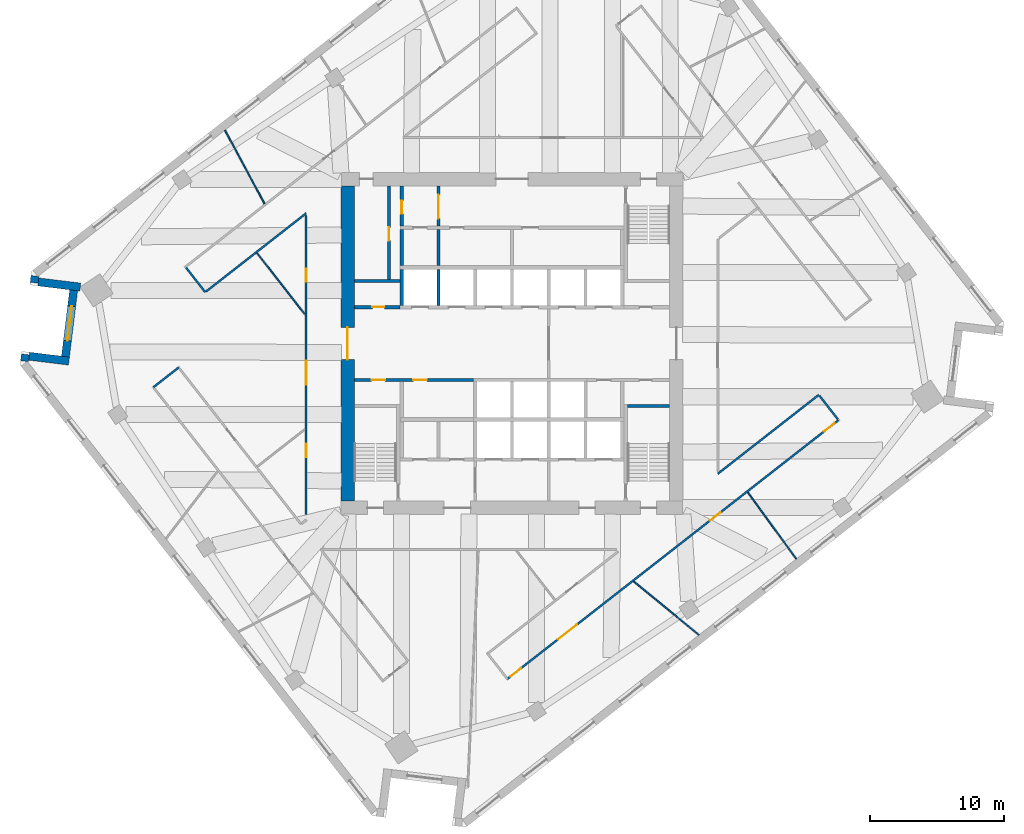
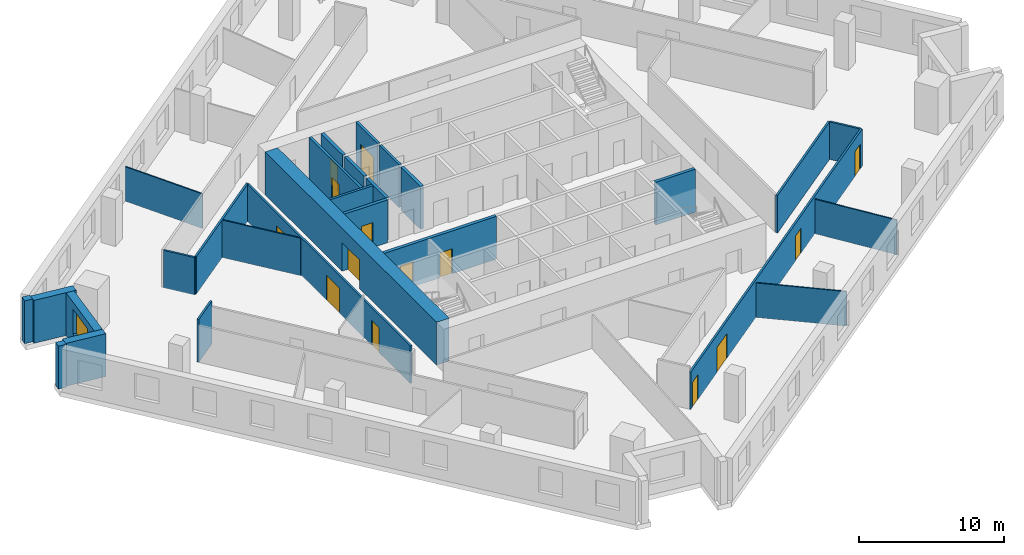
# One storey, part 6 of 11: 28 walls, 14 doors, 1 window, 15 openings.
"""IFC4 building model written with IfcOpenShell, lengths in metres."""

from ifc_helpers import new_model, si_unit, direction, frame, frame_2d, origin, place, context, subcontext, project, spatial, rectangle, extrude, material, layer, layer_set, type_object, element, fill, save


model = new_model("IFC4")

# Units and contexts
model_context = context("Model", 3, precision=1e-05, world=origin(), true_north=direction((0.0, 1.0)))
body_context = subcontext(model_context, "Body", "Model", "MODEL_VIEW")
ifc_project = project(units=[si_unit("LENGTHUNIT", "METRE"), si_unit("AREAUNIT", "SQUARE_METRE"), si_unit("VOLUMEUNIT", "CUBIC_METRE"), si_unit("PLANEANGLEUNIT", "RADIAN"), si_unit("MASSUNIT", "GRAM", prefix="KILO")], contexts=[model_context])

# Site, building, storey
site_placement = place(None, origin())
site = spatial("IfcSite", under=ifc_project, at=site_placement, CompositionType="ELEMENT")
building_placement = place(site_placement, origin())
building = spatial("IfcBuilding", under=site, at=building_placement, Name="Dilmun Exchange Tower", CompositionType="ELEMENT")
storey_placement = place(building_placement, frame((0.0, 0.0, 175.699951171875)))
storey = spatial("IfcBuildingStorey", under=building, at=storey_placement, Name="L41", CompositionType="ELEMENT", Elevation=175.699951171875)

# Wall
ifc_material_1 = material(Name="Concrete C40/50", Category="concrete")
ifc_layer_1 = layer(ifc_material_1, 0.199951171875)
ifc_layer_set_1 = layer_set([ifc_layer_1], Name="Concrete C40/50")
wall_type_1 = type_object("IfcWallType", Name="Core partition wall 200", PredefinedType="PARTITIONING", material=ifc_layer_set_1)
wall_1_placement = place(storey_placement, frame((-11.794921875, 4.675048828125, 0.0), z_axis=(0.0, 0.0, 1.0), x_axis=(1.0, 0.0, 0.0)))
element("IfcWall", 1, at=wall_1_placement, inside=storey, type_object=wall_type_1, Name="L41 core partition wall 14", PredefinedType="PARTITIONING", context=body_context, shape_type="SweptSolid", body=[
    extrude(rectangle(XDim=3.4150390625, YDim=0.199951171875, at=frame_2d((1.70751953125, 0.0))), origin(), (0.0, 0.0, 1.0), 3.60009765625),
])

# Wall, opening, door
wall_2_placement = place(storey_placement, frame((-9.199951171875, 4.780029296875, 0.0), z_axis=(0.0, 0.0, 1.0), x_axis=(0.0, 1.0, 0.0)))
wall_2 = element("IfcWall", 2, at=wall_2_placement, inside=storey, type_object=wall_type_1, Name="L41 core partition wall 15", PredefinedType="PARTITIONING", context=body_context, shape_type="SweptSolid", body=[
    extrude(rectangle(XDim=7.014892578125, YDim=0.199951171875, at=frame_2d((3.50732421875, 0.0))), origin(), (0.0, 0.0, 1.0), 3.60009765625),
])
opening_1_placement = place(wall_2_placement, frame((2.919921875, 0.0, 0.0)))
opening_1 = element("IfcOpeningElement", 3, at=opening_1_placement, cuts=wall_2, Name="Opening CD4", PredefinedType="OPENING", context=body_context, shape_type="SweptSolid", body=[
    extrude(rectangle(XDim=1.0, YDim=2.10009765625, at=frame_2d((0.5, 1.050048828125))), frame((0.0, 0.10986328125, 0.0), z_axis=(0.0, -1.0, 0.0), x_axis=(1.0, 0.0, 0.0)), (0.0, 0.0, 1.0), 0.219970703125),
])
ifc_material_2 = material(Name="Fire-rated steel door set", Category="steel")
door_type_1 = type_object("IfcDoorType", Name="Core room door 1000x2100", OperationType="SINGLE_SWING_LEFT", PredefinedType="DOOR", material=ifc_material_2)
door_1_placement = place(opening_1_placement, origin())
door_1 = element("IfcDoor", 4, at=door_1_placement, inside=storey, type_object=door_type_1, Name="L41 door Fire safety store", OperationType="SINGLE_SWING_RIGHT", OverallHeight=2.10009765625, OverallWidth=1.0, PredefinedType="DOOR", context=body_context, shape_type="SweptSolid", body=[
    extrude(rectangle(XDim=1.0, YDim=2.10009765625, at=frame_2d((0.5, 1.050048828125))), frame((0.0, 0.02490234375, 0.0), z_axis=(0.0, -1.0, 0.0), x_axis=(1.0, 0.0, 0.0)), (0.0, 0.0, 1.0), 0.050048828125),
])
fill(opening_1, door_1)

# Wall
wall_3_placement = place(storey_placement, frame((-5.5, 5.85498046875, 0.0), z_axis=(0.0, 0.0, 1.0), x_axis=(0.0, 1.0, 0.0)))
element("IfcWall", 5, at=wall_3_placement, inside=storey, type_object=wall_type_1, Name="L41 core partition wall 17", PredefinedType="PARTITIONING", context=body_context, shape_type="SweptSolid", body=[
    extrude(rectangle(XDim=2.68994140625, YDim=0.199951171875, at=frame_2d((1.344970703125, 0.0))), origin(), (0.0, 0.0, 1.0), 3.60009765625),
])

# Wall, opening, door
wall_4_placement = place(storey_placement, frame((-5.5, 8.804931640625, 0.0), z_axis=(0.0, 0.0, 1.0), x_axis=(0.0, 1.0, 0.0)))
wall_4 = element("IfcWall", 6, at=wall_4_placement, inside=storey, type_object=wall_type_1, Name="L41 core partition wall 22", PredefinedType="PARTITIONING", context=body_context, shape_type="SweptSolid", body=[
    extrude(rectangle(XDim=2.989990234375, YDim=0.199951171875, at=frame_2d((1.4951171875, 0.0))), origin(), (0.0, 0.0, 1.0), 3.60009765625),
])
opening_2_placement = place(wall_4_placement, frame((0.532470703125, 0.0, 0.0)))
opening_2 = element("IfcOpeningElement", 7, at=opening_2_placement, cuts=wall_4, Name="Opening CD5", PredefinedType="OPENING", context=body_context, shape_type="SweptSolid", body=[
    extrude(rectangle(XDim=1.800048828125, YDim=2.10009765625, at=frame_2d((0.89990234375, 1.050048828125))), frame((0.0, 0.10986328125, 0.0), z_axis=(0.0, -1.0, 0.0), x_axis=(1.0, 0.0, 0.0)), (0.0, 0.0, 1.0), 0.219970703125),
])
door_type_2 = type_object("IfcDoorType", Name="Stair exit door 1800x2100", OperationType="SINGLE_SWING_LEFT", PredefinedType="DOOR", material=ifc_material_2)
door_2_placement = place(opening_2_placement, origin())
door_2 = element("IfcDoor", 8, at=door_2_placement, inside=storey, type_object=door_type_2, Name="L41 door Core corridor east", OperationType="SINGLE_SWING_LEFT", OverallHeight=2.10009765625, OverallWidth=1.800048828125, PredefinedType="DOOR", context=body_context, shape_type="SweptSolid", body=[
    extrude(rectangle(XDim=1.800048828125, YDim=2.10009765625, at=frame_2d((0.89990234375, 1.050048828125))), frame((0.0, 0.02490234375, 0.0), z_axis=(0.0, -1.0, 0.0), x_axis=(1.0, 0.0, 0.0)), (0.0, 0.0, 1.0), 0.050048828125),
])
fill(opening_2, door_2)

# Wall, openings, doors
ifc_layer_2 = layer(ifc_material_1, 0.25)
ifc_layer_set_2 = layer_set([ifc_layer_2], Name="Concrete C40/50")
wall_type_2 = type_object("IfcWallType", Name="Core partition wall 250", PredefinedType="PARTITIONING", material=ifc_layer_set_2)
wall_5_placement = place(storey_placement, frame((-11.794921875, -2.72509765625, 0.0), z_axis=(0.0, 0.0, 1.0), x_axis=(1.0, 0.0, 0.0)))
wall_5 = element("IfcWall", 9, at=wall_5_placement, inside=storey, type_object=wall_type_2, Name="L41 core partition wall 09", PredefinedType="PARTITIONING", context=body_context, shape_type="SweptSolid", body=[
    extrude(rectangle(XDim=8.9150390625, YDim=0.25, at=frame_2d((4.45751953125, 0.0))), origin(), (0.0, 0.0, 1.0), 3.60009765625),
])
opening_3_placement = place(wall_5_placement, frame((1.294921875, 0.0, 0.0)))
opening_3 = element("IfcOpeningElement", 10, at=opening_3_placement, cuts=wall_5, Name="Opening CD4", PredefinedType="OPENING", context=body_context, shape_type="SweptSolid", body=[
    extrude(rectangle(XDim=1.0, YDim=2.10009765625, at=frame_2d((0.5, 1.050048828125))), frame((0.0, 0.135009765625, 0.0), z_axis=(0.0, -1.0, 0.0), x_axis=(1.0, 0.0, 0.0)), (0.0, 0.0, 1.0), 0.27001953125),
])
opening_4_placement = place(wall_5_placement, frame((4.419921875, 0.0, 0.0)))
opening_4 = element("IfcOpeningElement", 11, at=opening_4_placement, cuts=wall_5, Name="Opening CD4", PredefinedType="OPENING", context=body_context, shape_type="SweptSolid", body=[
    extrude(rectangle(XDim=1.0, YDim=2.10009765625, at=frame_2d((0.5, 1.050048828125))), frame((0.0, 0.135009765625, 0.0), z_axis=(0.0, -1.0, 0.0), x_axis=(1.0, 0.0, 0.0)), (0.0, 0.0, 1.0), 0.27001953125),
])
door_3_placement = place(opening_3_placement, origin())
door_3 = element("IfcDoor", 12, at=door_3_placement, inside=storey, type_object=door_type_1, Name="L41 door Accessible WC", OperationType="SINGLE_SWING_RIGHT", OverallHeight=2.10009765625, OverallWidth=1.0, PredefinedType="DOOR", context=body_context, shape_type="SweptSolid", body=[
    extrude(rectangle(XDim=1.0, YDim=2.10009765625, at=frame_2d((0.5, 1.050048828125))), frame((0.0, 0.02490234375, 0.0), z_axis=(0.0, -1.0, 0.0), x_axis=(1.0, 0.0, 0.0)), (0.0, 0.0, 1.0), 0.050048828125),
])
fill(opening_3, door_3)
door_4_placement = place(opening_4_placement, origin())
door_4 = element("IfcDoor", 13, at=door_4_placement, inside=storey, type_object=door_type_1, Name="L41 door Print and mail room", OperationType="SINGLE_SWING_RIGHT", OverallHeight=2.10009765625, OverallWidth=1.0, PredefinedType="DOOR", context=body_context, shape_type="SweptSolid", body=[
    extrude(rectangle(XDim=1.0, YDim=2.10009765625, at=frame_2d((0.5, 1.050048828125))), frame((0.0, 0.02490234375, 0.0), z_axis=(0.0, -1.0, 0.0), x_axis=(1.0, 0.0, 0.0)), (0.0, 0.0, 1.0), 0.050048828125),
])
fill(opening_4, door_4)

# Wall, opening, door
wall_6_placement = place(storey_placement, frame((-11.794921875, 2.72509765625, 0.0), z_axis=(0.0, 0.0, 1.0), x_axis=(1.0, 0.0, 0.0)))
wall_6 = element("IfcWall", 14, at=wall_6_placement, inside=storey, type_object=wall_type_2, Name="L41 core partition wall 12", PredefinedType="PARTITIONING", context=body_context, shape_type="SweptSolid", body=[
    extrude(rectangle(XDim=3.4150390625, YDim=0.25, at=frame_2d((1.70751953125, 0.0))), origin(), (0.0, 0.0, 1.0), 3.60009765625),
])
opening_5_placement = place(wall_6_placement, frame((1.344970703125, 0.0, 0.0)))
opening_5 = element("IfcOpeningElement", 15, at=opening_5_placement, cuts=wall_6, Name="Opening CD6", PredefinedType="OPENING", context=body_context, shape_type="SweptSolid", body=[
    extrude(rectangle(XDim=0.89990234375, YDim=2.10009765625, at=frame_2d((0.449951171875, 1.050048828125))), frame((0.0, 0.135009765625, 0.0), z_axis=(0.0, -1.0, 0.0), x_axis=(1.0, 0.0, 0.0)), (0.0, 0.0, 1.0), 0.27001953125),
])
door_type_3 = type_object("IfcDoorType", Name="Core room door 900x2100", OperationType="SINGLE_SWING_LEFT", PredefinedType="DOOR", material=ifc_material_2)
door_5_placement = place(opening_5_placement, origin())
door_5 = element("IfcDoor", 16, at=door_5_placement, inside=storey, type_object=door_type_3, Name="L41 door Plumbing riser", OperationType="SINGLE_SWING_RIGHT", OverallHeight=2.10009765625, OverallWidth=0.89990234375, PredefinedType="DOOR", context=body_context, shape_type="SweptSolid", body=[
    extrude(rectangle(XDim=0.89990234375, YDim=2.10009765625, at=frame_2d((0.449951171875, 1.050048828125))), frame((0.0, 0.02490234375, 0.0), z_axis=(0.0, -1.0, 0.0), x_axis=(1.0, 0.0, 0.0)), (0.0, 0.0, 1.0), 0.050048828125),
])
fill(opening_5, door_5)

# Wall
wall_7_placement = place(storey_placement, frame((-8.25, 5.85498046875, 0.0), z_axis=(0.0, 0.0, 1.0), x_axis=(0.0, 1.0, 0.0)))
element("IfcWall", 17, at=wall_7_placement, inside=storey, type_object=wall_type_2, Name="L41 core partition wall 16", PredefinedType="PARTITIONING", context=body_context, shape_type="SweptSolid", body=[
    extrude(rectangle(XDim=2.68994140625, YDim=0.25, at=frame_2d((1.344970703125, 0.0))), origin(), (0.0, 0.0, 1.0), 3.60009765625),
])

# Wall, opening, door
wall_8_placement = place(storey_placement, frame((-8.25, 8.804931640625, 0.0), z_axis=(0.0, 0.0, 1.0), x_axis=(0.0, 1.0, 0.0)))
wall_8 = element("IfcWall", 18, at=wall_8_placement, inside=storey, type_object=wall_type_2, Name="L41 core partition wall 21", PredefinedType="PARTITIONING", context=body_context, shape_type="SweptSolid", body=[
    extrude(rectangle(XDim=2.989990234375, YDim=0.25, at=frame_2d((1.4951171875, 0.0))), origin(), (0.0, 0.0, 1.0), 3.60009765625),
])
opening_6_placement = place(wall_8_placement, frame((0.89501953125, 0.0, 0.0)))
opening_6 = element("IfcOpeningElement", 19, at=opening_6_placement, cuts=wall_8, Name="Opening CD4", PredefinedType="OPENING", context=body_context, shape_type="SweptSolid", body=[
    extrude(rectangle(XDim=1.0, YDim=2.10009765625, at=frame_2d((0.5, 1.050048828125))), frame((0.0, 0.135009765625, 0.0), z_axis=(0.0, -1.0, 0.0), x_axis=(1.0, 0.0, 0.0)), (0.0, 0.0, 1.0), 0.27001953125),
])
door_6_placement = place(opening_6_placement, origin())
door_6 = element("IfcDoor", 20, at=door_6_placement, inside=storey, type_object=door_type_1, Name="L41 door Tenant services room", OperationType="SINGLE_SWING_RIGHT", OverallHeight=2.10009765625, OverallWidth=1.0, PredefinedType="DOOR", context=body_context, shape_type="SweptSolid", body=[
    extrude(rectangle(XDim=1.0, YDim=2.10009765625, at=frame_2d((0.5, 1.050048828125))), frame((0.0, 0.02490234375, 0.0), z_axis=(0.0, -1.0, 0.0), x_axis=(1.0, 0.0, 0.0)), (0.0, 0.0, 1.0), 0.050048828125),
])
fill(opening_6, door_6)

ifc_material_3 = material(Name="Concrete C70/85", Category="concrete")
ifc_layer_3 = layer(ifc_material_3, 1.0)
ifc_layer_set_3 = layer_set([ifc_layer_3], Name="Concrete C70/85")
wall_type_3 = type_object("IfcWallType", Name="Core shear wall 1000 Concrete C70/85", PredefinedType="SHEAR", material=ifc_layer_set_3)
wall_9_placement = place(storey_placement, frame((-12.300048828125, -11.800048828125, 0.0), z_axis=(0.0, 0.0, 1.0), x_axis=(0.0, 1.0, 0.0)))
wall_9 = element("IfcWall", 21, at=wall_9_placement, inside=storey, type_object=wall_type_3, Name="L41 core shear wall W", PredefinedType="SHEAR", context=body_context, shape_type="SweptSolid", body=[
    extrude(rectangle(XDim=23.60009765625, YDim=1.0, at=frame_2d((11.800048828125, 0.0))), origin(), (0.0, 0.0, 1.0), 3.60009765625),
])
opening_7_placement = place(wall_9_placement, frame((10.60009765625, 0.0, 0.0)))
opening_7 = element("IfcOpeningElement", 22, at=opening_7_placement, cuts=wall_9, Name="Opening CD1", PredefinedType="OPENING", context=body_context, shape_type="SweptSolid", body=[
    extrude(rectangle(XDim=2.39990234375, YDim=2.39990234375, at=frame_2d((1.199951171875, 1.199951171875))), frame((0.0, 0.510009765625, 0.0), z_axis=(0.0, -1.0, 0.0), x_axis=(1.0, 0.0, 0.0)), (0.0, 0.0, 1.0), 1.02001953125),
])
door_type_4 = type_object("IfcDoorType", Name="Core lobby door 2400x2400", OperationType="DOUBLE_DOOR_DOUBLE_SWING", PredefinedType="DOOR", material=ifc_material_2)
door_7_placement = place(opening_7_placement, origin())
door_7 = element("IfcDoor", 23, at=door_7_placement, inside=storey, type_object=door_type_4, Name="L41 door Central lift lobby", OperationType="SINGLE_SWING_LEFT", OverallHeight=2.39990234375, OverallWidth=2.39990234375, PredefinedType="DOOR", context=body_context, shape_type="SweptSolid", body=[
    extrude(rectangle(XDim=2.39990234375, YDim=2.39990234375, at=frame_2d((1.199951171875, 1.199951171875))), frame((0.0, 0.02490234375, 0.0), z_axis=(0.0, -1.0, 0.0), x_axis=(1.0, 0.0, 0.0)), (0.0, 0.0, 1.0), 0.050048828125),
])
fill(opening_7, door_7)

# Walls
ifc_material_4 = material(Name="Corridor wall 150")
ifc_layer_4 = layer(ifc_material_4, 0.14990234375)
ifc_layer_set_4 = layer_set([ifc_layer_4], Name="Corridor wall 150")
wall_type_4 = type_object("IfcWallType", Name="Corridor wall 150", PredefinedType="PARTITIONING", material=ifc_layer_set_4)
wall_10_placement = place(storey_placement, frame((-26.8349609375, -3.27197265625, 0.0), z_axis=(0.0, 0.0, 1.0), x_axis=(0.788062937667, 0.615594676938, 0.0)))
element("IfcWall", 24, at=wall_10_placement, inside=storey, type_object=wall_type_4, Name="Corridor wall", PredefinedType="PARTITIONING", context=body_context, shape_type="SweptSolid", body=[
    extrude(rectangle(XDim=2.3994140625, YDim=0.14990234375, at=frame_2d((1.19970703125, 0.0))), origin(), (0.0, 0.0, 1.0), 3.60009765625),
])
wall_11_placement = place(storey_placement, frame((-24.38671875, 5.6748046875, 0.0), z_axis=(0.0, 0.0, 1.0), x_axis=(0.615328150299, -0.788271062167, 0.0)))
element("IfcWall", 25, at=wall_11_placement, inside=storey, type_object=wall_type_4, Name="Corridor wall", PredefinedType="PARTITIONING", context=body_context, shape_type="SweptSolid", body=[
    extrude(rectangle(XDim=2.324951171875, YDim=0.14990234375, at=frame_2d((1.16259765625, 0.0))), origin(), (0.0, 0.0, 1.0), 3.150146484375),
])
wall_12_placement = place(storey_placement, frame((-22.89697265625, 3.88818359375, 0.0), z_axis=(0.0, 0.0, 1.0), x_axis=(0.787982356531, 0.615697820197, 0.0)))
element("IfcWall", 26, at=wall_12_placement, inside=storey, type_object=wall_type_4, Name="Corridor wall", PredefinedType="PARTITIONING", context=body_context, shape_type="SweptSolid", body=[
    extrude(rectangle(XDim=9.51416015625, YDim=0.14990234375, at=frame_2d((4.757080078125, 0.0))), origin(), (0.0, 0.0, 1.0), 3.150146484375),
])

# Wall, openings, doors
wall_13_placement = place(storey_placement, frame((-15.39990234375, -12.800048828125, 0.0), z_axis=(0.0, 0.0, 1.0), x_axis=(0.0, 1.0, 0.0)))
wall_13 = element("IfcWall", 27, at=wall_13_placement, inside=storey, type_object=wall_type_4, Name="Corridor wall", PredefinedType="PARTITIONING", context=body_context, shape_type="SweptSolid", body=[
    extrude(rectangle(XDim=22.392333984375, YDim=0.14990234375, at=frame_2d((11.1962890625, 0.0))), origin(), (0.0, 0.0, 1.0), 3.150146484375),
])
opening_8_placement = place(wall_13_placement, frame((9.72119140625, 0.0, 0.0)))
opening_8 = element("IfcOpeningElement", 28, at=opening_8_placement, cuts=wall_13, Name="Opening TF41-D01", PredefinedType="OPENING", context=body_context, shape_type="SweptSolid", body=[
    extrude(rectangle(XDim=1.800048828125, YDim=2.10009765625, at=frame_2d((0.89990234375, 1.050048828125))), frame((0.0, 0.0849609375, 0.0), z_axis=(0.0, -1.0, 0.0), x_axis=(1.0, 0.0, 0.0)), (0.0, 0.0, 1.0), 0.169921875),
])
opening_9_placement = place(wall_13_placement, frame((4.300048828125, 0.0, 0.0)))
opening_9 = element("IfcOpeningElement", 29, at=opening_9_placement, cuts=wall_13, Name="Opening TF41-D04", PredefinedType="OPENING", context=body_context, shape_type="SweptSolid", body=[
    extrude(rectangle(XDim=1.0, YDim=2.10009765625, at=frame_2d((0.5, 1.050048828125))), frame((0.0, 0.0849609375, 0.0), z_axis=(0.0, -1.0, 0.0), x_axis=(1.0, 0.0, 0.0)), (0.0, 0.0, 1.0), 0.169921875),
])
opening_10_placement = place(wall_13_placement, frame((17.40771484375, 0.0, 0.0)))
opening_10 = element("IfcOpeningElement", 30, at=opening_10_placement, cuts=wall_13, Name="Opening TF41-D05", PredefinedType="OPENING", context=body_context, shape_type="SweptSolid", body=[
    extrude(rectangle(XDim=1.0, YDim=2.10009765625, at=frame_2d((0.5, 1.050048828125))), frame((0.0, 0.0849609375, 0.0), z_axis=(0.0, -1.0, 0.0), x_axis=(1.0, 0.0, 0.0)), (0.0, 0.0, 1.0), 0.169921875),
])
ifc_material_5 = material(Name="Fire door 1000 x 2100")
door_type_5 = type_object("IfcDoorType", Name="Fire door 1000 x 2100", OperationType="NOTDEFINED", PredefinedType="DOOR", material=ifc_material_5)
door_8_placement = place(opening_9_placement, origin())
door_8 = element("IfcDoor", 31, at=door_8_placement, inside=storey, type_object=door_type_5, Name="Door TF41-D04", OperationType="SINGLE_SWING_RIGHT", OverallHeight=2.10009765625, OverallWidth=1.0, PredefinedType="DOOR", context=body_context, shape_type="SweptSolid", body=[
    extrude(rectangle(XDim=1.0, YDim=2.10009765625, at=frame_2d((0.5, 1.050048828125))), frame((0.0, 0.02490234375, 0.0), z_axis=(0.0, -1.0, 0.0), x_axis=(1.0, 0.0, 0.0)), (0.0, 0.0, 1.0), 0.050048828125),
])
fill(opening_9, door_8)
door_9_placement = place(opening_10_placement, origin())
door_9 = element("IfcDoor", 32, at=door_9_placement, inside=storey, type_object=door_type_5, Name="Door TF41-D05", OperationType="SINGLE_SWING_LEFT", OverallHeight=2.10009765625, OverallWidth=1.0, PredefinedType="DOOR", context=body_context, shape_type="SweptSolid", body=[
    extrude(rectangle(XDim=1.0, YDim=2.10009765625, at=frame_2d((0.5, 1.050048828125))), frame((0.0, 0.02490234375, 0.0), z_axis=(0.0, -1.0, 0.0), x_axis=(1.0, 0.0, 0.0)), (0.0, 0.0, 1.0), 0.050048828125),
])
fill(opening_10, door_9)
ifc_material_6 = material(Name="Fire door pair 1800 x 2100")
door_type_6 = type_object("IfcDoorType", Name="Fire door pair 1800 x 2100", OperationType="NOTDEFINED", PredefinedType="DOOR", material=ifc_material_6)
door_10_placement = place(opening_8_placement, origin())
door_10 = element("IfcDoor", 33, at=door_10_placement, inside=storey, type_object=door_type_6, Name="Door TF41-D01", OperationType="DOUBLE_DOOR_SINGLE_SWING", OverallHeight=2.10009765625, OverallWidth=1.800048828125, PredefinedType="DOOR", context=body_context, shape_type="SweptSolid", body=[
    extrude(rectangle(XDim=1.800048828125, YDim=2.10009765625, at=frame_2d((0.89990234375, 1.050048828125))), frame((0.0, 0.02490234375, 0.0), z_axis=(0.0, -1.0, 0.0), x_axis=(1.0, 0.0, 0.0)), (0.0, 0.0, 1.0), 0.050048828125),
])
fill(opening_8, door_10)

wall_14_placement = place(storey_placement, frame((-0.347900390625, -25.094970703125, 0.0), z_axis=(0.0, 0.0, 1.0), x_axis=(0.788010131951, 0.615662271008, 0.0)))
wall_14 = element("IfcWall", 34, at=wall_14_placement, inside=storey, type_object=wall_type_4, Name="Corridor wall", PredefinedType="PARTITIONING", context=body_context, shape_type="SweptSolid", body=[
    extrude(rectangle(XDim=31.447509765625, YDim=0.14990234375, at=frame_2d((15.7236328125, 0.0))), origin(), (0.0, 0.0, 1.0), 3.150146484375),
])
opening_11_placement = place(wall_14_placement, frame((4.800537109375, 0.0, 0.0)))
opening_11 = element("IfcOpeningElement", 35, at=opening_11_placement, cuts=wall_14, Name="Opening TF41-D10", PredefinedType="OPENING", context=body_context, shape_type="SweptSolid", body=[
    extrude(rectangle(XDim=1.800048828125, YDim=2.10009765625, at=frame_2d((0.89990234375, 1.050048828125))), frame((0.0, 0.0849609375, 0.0), z_axis=(0.0, -1.0, 0.0), x_axis=(1.0, 0.0, 0.0)), (0.0, 0.0, 1.0), 0.169921875),
])
opening_12_placement = place(wall_14_placement, frame((0.300537109375, 0.0, 0.0)))
opening_12 = element("IfcOpeningElement", 36, at=opening_12_placement, cuts=wall_14, Name="Opening TF41-D11", PredefinedType="OPENING", context=body_context, shape_type="SweptSolid", body=[
    extrude(rectangle(XDim=1.0, YDim=2.10009765625, at=frame_2d((0.5, 1.050048828125))), frame((0.0, 0.0849609375, 0.0), z_axis=(0.0, -1.0, 0.0), x_axis=(1.0, 0.0, 0.0)), (0.0, 0.0, 1.0), 0.169921875),
])
opening_13_placement = place(wall_14_placement, frame((19.225830078125, 0.0, 0.0)))
opening_13 = element("IfcOpeningElement", 37, at=opening_13_placement, cuts=wall_14, Name="Opening TF41-D16", PredefinedType="OPENING", context=body_context, shape_type="SweptSolid", body=[
    extrude(rectangle(XDim=1.0, YDim=2.10009765625, at=frame_2d((0.5, 1.050048828125))), frame((0.0, 0.0849609375, 0.0), z_axis=(0.0, -1.0, 0.0), x_axis=(1.0, 0.0, 0.0)), (0.0, 0.0, 1.0), 0.169921875),
])
opening_14_placement = place(wall_14_placement, frame((30.072265625, 0.0, 0.0)))
opening_14 = element("IfcOpeningElement", 38, at=opening_14_placement, cuts=wall_14, Name="Opening TF41-D20", PredefinedType="OPENING", context=body_context, shape_type="SweptSolid", body=[
    extrude(rectangle(XDim=1.0, YDim=2.10009765625, at=frame_2d((0.5, 1.050048828125))), frame((0.0, 0.0849609375, 0.0), z_axis=(0.0, -1.0, 0.0), x_axis=(1.0, 0.0, 0.0)), (0.0, 0.0, 1.0), 0.169921875),
])
door_11_placement = place(opening_12_placement, frame((1.0, 0.0, 0.0), z_axis=(0.0, 0.0, 1.0), x_axis=(-1.0, 0.0, 0.0)))
door_11 = element("IfcDoor", 39, at=door_11_placement, inside=storey, type_object=door_type_5, Name="Door TF41-D11", OperationType="SINGLE_SWING_RIGHT", OverallHeight=2.10009765625, OverallWidth=1.0, PredefinedType="DOOR", context=body_context, shape_type="SweptSolid", body=[
    extrude(rectangle(XDim=1.0, YDim=2.10009765625, at=frame_2d((0.5, 1.050048828125))), frame((0.0, 0.02490234375, 0.0), z_axis=(0.0, -1.0, 0.0), x_axis=(1.0, 0.0, 0.0)), (0.0, 0.0, 1.0), 0.050048828125),
])
fill(opening_12, door_11)
door_12_placement = place(opening_13_placement, frame((1.0, 0.0, 0.0), z_axis=(0.0, 0.0, 1.0), x_axis=(-1.0, 0.0, 0.0)))
door_12 = element("IfcDoor", 40, at=door_12_placement, inside=storey, type_object=door_type_5, Name="Door TF41-D16", OperationType="SINGLE_SWING_RIGHT", OverallHeight=2.10009765625, OverallWidth=1.0, PredefinedType="DOOR", context=body_context, shape_type="SweptSolid", body=[
    extrude(rectangle(XDim=1.0, YDim=2.10009765625, at=frame_2d((0.5, 1.050048828125))), frame((0.0, 0.02490234375, 0.0), z_axis=(0.0, -1.0, 0.0), x_axis=(1.0, 0.0, 0.0)), (0.0, 0.0, 1.0), 0.050048828125),
])
fill(opening_13, door_12)
door_13_placement = place(opening_14_placement, frame((1.0, 0.0, 0.0), z_axis=(0.0, 0.0, 1.0), x_axis=(-1.0, 0.0, 0.0)))
door_13 = element("IfcDoor", 41, at=door_13_placement, inside=storey, type_object=door_type_5, Name="Door TF41-D20", OperationType="SINGLE_SWING_RIGHT", OverallHeight=2.10009765625, OverallWidth=1.0, PredefinedType="DOOR", context=body_context, shape_type="SweptSolid", body=[
    extrude(rectangle(XDim=1.0, YDim=2.10009765625, at=frame_2d((0.5, 1.050048828125))), frame((0.0, 0.02490234375, 0.0), z_axis=(0.0, -1.0, 0.0), x_axis=(1.0, 0.0, 0.0)), (0.0, 0.0, 1.0), 0.050048828125),
])
fill(opening_14, door_13)
door_14_placement = place(opening_11_placement, frame((1.800048828125, 0.0, 0.0), z_axis=(0.0, 0.0, 1.0), x_axis=(-1.0, 0.0, 0.0)))
door_14 = element("IfcDoor", 42, at=door_14_placement, inside=storey, type_object=door_type_6, Name="Door TF41-D10", OperationType="DOUBLE_DOOR_SINGLE_SWING", OverallHeight=2.10009765625, OverallWidth=1.800048828125, PredefinedType="DOOR", context=body_context, shape_type="SweptSolid", body=[
    extrude(rectangle(XDim=1.800048828125, YDim=2.10009765625, at=frame_2d((0.89990234375, 1.050048828125))), frame((0.0, 0.02490234375, 0.0), z_axis=(0.0, -1.0, 0.0), x_axis=(1.0, 0.0, 0.0)), (0.0, 0.0, 1.0), 0.050048828125),
])
fill(opening_11, door_14)

# Walls
wall_15_placement = place(storey_placement, frame((15.39990234375, -9.74609375, 0.0), z_axis=(0.0, 0.0, 1.0), x_axis=(0.787983457068, 0.615696411705, 0.0)))
element("IfcWall", 43, at=wall_15_placement, inside=storey, type_object=wall_type_4, Name="Corridor wall", PredefinedType="PARTITIONING", context=body_context, shape_type="SweptSolid", body=[
    extrude(rectangle(XDim=9.589111328125, YDim=0.14990234375, at=frame_2d((4.79443359375, 0.0))), origin(), (0.0, 0.0, 1.0), 3.150146484375),
])
wall_16_placement = place(storey_placement, frame((23.002197265625, -3.901123046875, 0.0), z_axis=(0.0, 0.0, 1.0), x_axis=(0.615321836597, -0.788275990632, 0.0)))
element("IfcWall", 44, at=wall_16_placement, inside=storey, type_object=wall_type_4, Name="Corridor wall", PredefinedType="PARTITIONING", context=body_context, shape_type="SweptSolid", body=[
    extrude(rectangle(XDim=2.25, YDim=0.14990234375, at=frame_2d((1.125, 0.0))), origin(), (0.0, 0.0, 1.0), 3.150146484375),
])
ifc_layer_5 = layer(ifc_material_1, 0.25)
ifc_layer_set_5 = layer_set([ifc_layer_5], Name="Concrete C40/50")
wall_type_5 = type_object("IfcWallType", Name="Lift shaft wall 250", PredefinedType="SOLIDWALL", material=ifc_layer_set_5)
for number, where, z_axis, x_axis, name in (
    (45, (-8.25, 2.85009765625, 0.0), (0.0, 0.0, 1.0), (0.0, 1.0, 0.0), "L41 lift shaft divider N10"),
    (46, (-5.5, 2.85009765625, 0.0), (0.0, 0.0, 1.0), (0.0, 1.0, 0.0), "L41 lift shaft divider N11"),
):
    element("IfcWall", number, at=place(storey_placement, frame(where, z_axis=z_axis, x_axis=x_axis)), inside=storey, type_object=wall_type_5, Name=name, PredefinedType="SOLIDWALL", context=body_context, shape_type="SweptSolid", body=[
        extrude(rectangle(XDim=2.699951171875, YDim=0.25, at=frame_2d((1.35009765625, 0.0))), origin(), (0.0, 0.0, 1.0), 3.60009765625),
    ])
ifc_material_7 = material(Name="Partition 100")
ifc_layer_6 = layer(ifc_material_7, 0.10009765625)
ifc_layer_set_6 = layer_set([ifc_layer_6], Name="Partition 100")
wall_type_6 = type_object("IfcWallType", Name="Partition 100", PredefinedType="PARTITIONING", material=ifc_layer_set_6)
wall_17_placement = place(storey_placement, frame((-21.478271484375, 15.95751953125, 0.0), z_axis=(0.0, 0.0, 1.0), x_axis=(0.474316685511, -0.880354293365, 0.0)))
element("IfcWall", 47, at=wall_17_placement, inside=storey, type_object=wall_type_6, Name="Partition", PredefinedType="PARTITIONING", context=body_context, shape_type="SweptSolid", body=[
    extrude(rectangle(XDim=6.2431640625, YDim=0.10009765625, at=frame_2d((3.12158203125, 0.0))), origin(), (0.0, 0.0, 1.0), 2.900146484375),
])
wall_18_placement = place(storey_placement, frame((-19.083740234375, 6.77294921875, 0.0), z_axis=(0.0, 0.0, 1.0), x_axis=(0.61565629967, -0.788014797245, 0.0)))
element("IfcWall", 48, at=wall_18_placement, inside=storey, type_object=wall_type_6, Name="Partition", PredefinedType="PARTITIONING", context=body_context, shape_type="SweptSolid", body=[
    extrude(rectangle(XDim=5.797607421875, YDim=0.10009765625, at=frame_2d((2.89892578125, 0.0))), origin(), (0.0, 0.0, 1.0), 3.150146484375),
])
wall_19_placement = place(storey_placement, frame((9.117919921875, -17.808837890625, 0.0), z_axis=(0.0, 0.0, 1.0), x_axis=(0.772739146609, -0.634723728324, 0.0)))
element("IfcWall", 49, at=wall_19_placement, inside=storey, type_object=wall_type_6, Name="Partition", PredefinedType="PARTITIONING", context=body_context, shape_type="SweptSolid", body=[
    extrude(rectangle(XDim=6.302734375, YDim=0.10009765625, at=frame_2d((3.1513671875, 0.0))), origin(), (0.0, 0.0, 1.0), 2.900146484375),
])
wall_20_placement = place(storey_placement, frame((17.643310546875, -11.135986328125, 0.0), z_axis=(0.0, 0.0, 1.0), x_axis=(0.588621430422, -0.808408814677, 0.0)))
element("IfcWall", 50, at=wall_20_placement, inside=storey, type_object=wall_type_6, Name="Partition", PredefinedType="PARTITIONING", context=body_context, shape_type="SweptSolid", body=[
    extrude(rectangle(XDim=6.163818359375, YDim=0.10009765625, at=frame_2d((3.08203125, 0.0))), origin(), (0.0, 0.0, 1.0), 2.900146484375),
])
ifc_material_8 = material(Name="Precast concrete C50/60", Category="concrete")
ifc_layer_7 = layer(ifc_material_8, 0.60009765625)
ifc_layer_set_7 = layer_set([ifc_layer_7], Name="Precast concrete C50/60")
wall_type_7 = type_object("IfcWallType", Name="Precast stone-clad wall 600", PredefinedType="STANDARD", material=ifc_layer_set_7)
wall_21_placement = place(storey_placement, frame((-35.695556640625, 5.053466796875, 0.0), z_axis=(0.0, 0.0, 1.0), x_axis=(-0.121800492671, -0.992554603024, 0.0)))
element("IfcWall", 51, at=wall_21_placement, inside=storey, type_object=wall_type_7, Name="Facade wall L41-04", PredefinedType="STANDARD", context=body_context, shape_type="SweptSolid", body=[
    extrude(rectangle(XDim=0.51123046875, YDim=0.60009765625, at=frame_2d((0.255615234375, 0.0))), origin(), (0.0, 0.0, 1.0), 3.60009765625),
])
wall_22_placement = place(storey_placement, frame((-35.44775390625, 4.60888671875, 0.0), z_axis=(0.0, 0.0, 1.0), x_axis=(0.992542310393, -0.12190062379, 0.0)))
element("IfcWall", 52, at=wall_22_placement, inside=storey, type_object=wall_type_7, Name="Facade wall L41-05", PredefinedType="STANDARD", context=body_context, shape_type="SweptSolid", body=[
    extrude(rectangle(XDim=3.16845703125, YDim=0.60009765625, at=frame_2d((1.584228515625, 0.0))), origin(), (0.0, 0.0, 1.0), 3.60009765625),
])

# Wall, opening, window
wall_23_placement = place(storey_placement, frame((-32.804443359375, 3.98193359375, 0.0), z_axis=(0.0, 0.0, 1.0), x_axis=(-0.121876954874, -0.992545217041, 0.0)))
wall_23 = element("IfcWall", 53, at=wall_23_placement, inside=storey, type_object=wall_type_7, Name="Facade wall L41-06", PredefinedType="STANDARD", context=body_context, shape_type="SweptSolid", body=[
    extrude(rectangle(XDim=5.0, YDim=0.60009765625, at=frame_2d((2.5, 0.0))), origin(), (0.0, 0.0, 1.0), 3.60009765625),
])
opening_15_placement = place(wall_23_placement, frame((1.199951171875, 0.0, 0.89990234375)))
opening_15 = element("IfcOpeningElement", 54, at=opening_15_placement, cuts=wall_23, Name="Opening W260-210", PredefinedType="OPENING", context=body_context, shape_type="SweptSolid", body=[
    extrude(rectangle(XDim=2.60009765625, YDim=2.10009765625, at=frame_2d((1.300048828125, 1.050048828125))), frame((0.0, 0.31005859375, 0.0), z_axis=(0.0, -1.0, 0.0), x_axis=(1.0, 0.0, 0.0)), (0.0, 0.0, 1.0), 0.6201171875),
])
ifc_material_9 = material(Name="Clear low-emissivity glass in aluminium frame", Category="aluminium")
window_type = type_object("IfcWindowType", Name="Punched window 2600 x 2100", PartitioningType="DOUBLE_PANEL_VERTICAL", PredefinedType="WINDOW", material=ifc_material_9)
window_placement = place(opening_15_placement, origin())
window = element("IfcWindow", 55, at=window_placement, inside=storey, type_object=window_type, Name="Window 7.1", OverallHeight=2.10009765625, OverallWidth=2.60009765625, PartitioningType="SINGLE_PANEL", PredefinedType="WINDOW", context=body_context, shape_type="SweptSolid", body=[
    extrude(rectangle(XDim=2.60009765625, YDim=2.10009765625, at=frame_2d((1.300048828125, 1.050048828125))), frame((0.0, 0.030029296875, 0.0), z_axis=(0.0, -1.0, 0.0), x_axis=(1.0, 0.0, 0.0)), (0.0, 0.0, 1.0), 0.06005859375),
])
fill(opening_15, window)

# Walls
wall_24_placement = place(storey_placement, frame((-33.152587890625, -1.315185546875, 0.0), z_axis=(0.0, 0.0, 1.0), x_axis=(-0.992542246186, 0.121901146576, 0.0)))
element("IfcWall", 56, at=wall_24_placement, inside=storey, type_object=wall_type_7, Name="Facade wall L41-07", PredefinedType="STANDARD", context=body_context, shape_type="SweptSolid", body=[
    extrude(rectangle(XDim=3.000244140625, YDim=0.60009765625, at=frame_2d((1.5, 0.0))), origin(), (0.0, 0.0, 1.0), 3.60009765625),
])
wall_25_placement = place(storey_placement, frame((-36.416015625, -0.813720703125, 0.0), z_axis=(0.0, 0.0, 1.0), x_axis=(-0.121800492671, -0.992554603024, 0.0)))
element("IfcWall", 57, at=wall_25_placement, inside=storey, type_object=wall_type_7, Name="Facade wall L41-08", PredefinedType="STANDARD", context=body_context, shape_type="SweptSolid", body=[
    extrude(rectangle(XDim=0.51123046875, YDim=0.60009765625, at=frame_2d((0.255615234375, 0.0))), origin(), (0.0, 0.0, 1.0), 3.60009765625),
])
ifc_layer_8 = layer(ifc_material_1, 0.25)
ifc_layer_set_8 = layer_set([ifc_layer_8], Name="Concrete C40/50")
wall_type_8 = type_object("IfcWallType", Name="Stair end wall 250", PredefinedType="SOLIDWALL", material=ifc_layer_set_8)
wall_26_placement = place(storey_placement, frame((8.64990234375, -4.675048828125, 0.0), z_axis=(0.0, 0.0, 1.0), x_axis=(1.0, 0.0, 0.0)))
element("IfcWall", 58, at=wall_26_placement, inside=storey, type_object=wall_type_8, Name="L41 ST3 far wall", PredefinedType="SOLIDWALL", context=body_context, shape_type="SweptSolid", body=[
    extrude(rectangle(XDim=3.150146484375, YDim=0.25, at=frame_2d((1.5751953125, 0.0))), origin(), (0.0, 0.0, 1.0), 3.60009765625),
])

save(model, "model.ifc")
